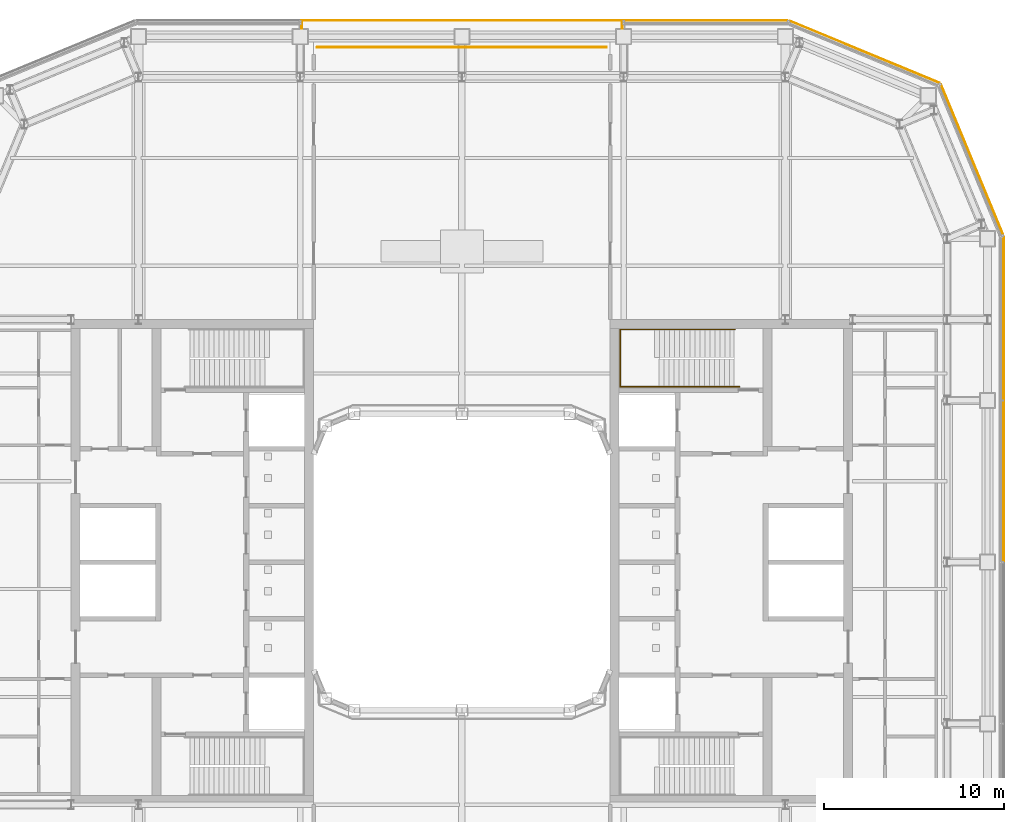
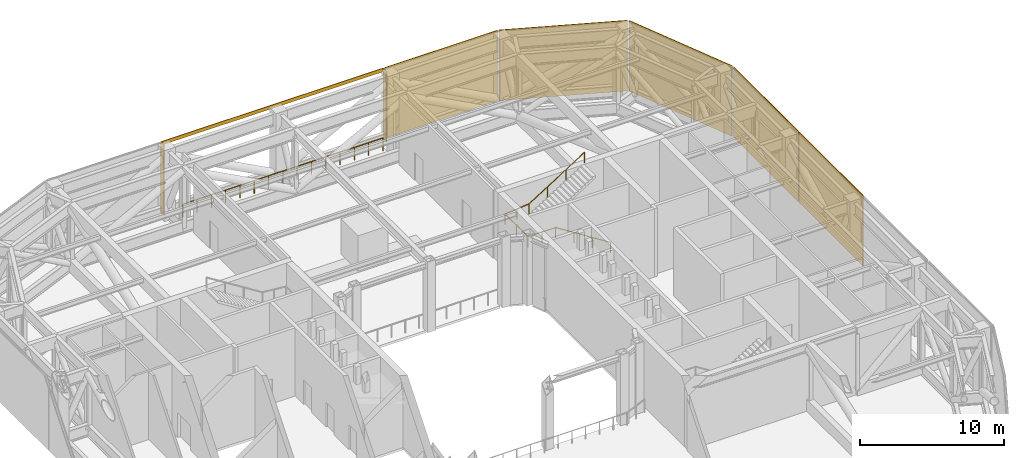
# One storey, part 21 of 22: 8 coverings, 2 railings.
"""IFC4 building model written with IfcOpenShell, lengths in metres."""

from ifc_helpers import new_model, si_unit, direction, frame, origin, origin_2d, place, context, subcontext, project, spatial, rectangle, circle, extrude, material, layer, layer_set, type_object, element, save


model = new_model("IFC4")

# Units and contexts
model_context = context("Model", 3, precision=1e-05, world=origin(), true_north=direction((0.0, 1.0)))
body_context = subcontext(model_context, "Body", "Model", "MODEL_VIEW")
ifc_project = project(units=[si_unit("LENGTHUNIT", "METRE"), si_unit("AREAUNIT", "SQUARE_METRE"), si_unit("VOLUMEUNIT", "CUBIC_METRE"), si_unit("PLANEANGLEUNIT", "RADIAN"), si_unit("MASSUNIT", "GRAM", prefix="KILO")], contexts=[model_context])

# Site, building, storey
site_placement = place(None, origin())
site = spatial("IfcSite", under=ifc_project, at=site_placement, CompositionType="ELEMENT")
building_placement = place(site_placement, origin())
building = spatial("IfcBuilding", under=site, at=building_placement, Name="Siwar Civic Tower", CompositionType="ELEMENT")
storey_placement = place(building_placement, frame((0.0, 0.0, 181.199951171875)))
storey = spatial("IfcBuildingStorey", under=building, at=storey_placement, Name="L39", CompositionType="ELEMENT", Elevation=181.199951171875)

# Railings
ifc_material_1 = material(Name="Stainless steel", Category="steel")
railing_type_1 = type_object("IfcRailingType", Name="CORE-STAIR-HANDRAIL", PredefinedType="HANDRAIL", material=ifc_material_1)
railing_1_placement = place(storey_placement, frame((15.449951171875, 9.758056640625, 0.176513671875)))
element("IfcRailing", 1, at=railing_1_placement, inside=storey, type_object=railing_type_1, Name="Stair handrail ST3", PredefinedType="HANDRAIL", context=body_context, shape_type="SweptSolid", body=[
    extrude(circle(Radius=0.02001953125, at=origin_2d()), frame((0.0, 0.0, 0.8798828125), z_axis=(-0.843278542751, 0.0, 0.537476789579), x_axis=(0.0, -1.0, 0.0)), (0.0, 0.0, 1.0), 5.253173828125),
    extrude(circle(Radius=0.02001953125, at=origin_2d()), frame((-4.429931640625, 0.0, 3.703369140625), z_axis=(-1.0, 0.0, 0.0), x_axis=(0.0, -1.0, 0.0)), (0.0, 0.0, 1.0), 2.2119140625),
    extrude(circle(Radius=0.02001953125, at=origin_2d()), frame((-6.641845703125, 0.0, 3.703369140625), z_axis=(0.0, 1.0, 0.0), x_axis=(-1.0, 0.0, 0.0)), (0.0, 0.0, 1.0), 3.183837890625),
    extrude(circle(Radius=0.02001953125, at=origin_2d()), frame((-6.641845703125, 3.183837890625, 3.703369140625), z_axis=(0.995765067396, 0.0, 0.091934381781), x_axis=(0.0, 1.0, 0.0)), (0.0, 0.0, 1.0), 1.919921875),
    extrude(circle(Radius=0.02001953125, at=origin_2d()), frame((-4.72998046875, 3.183837890625, 3.8798828125), z_axis=(0.845997938375, 0.0, 0.533186166611), x_axis=(0.0, 1.0, 0.0)), (0.0, 0.0, 1.0), 5.29541015625),
    extrude(circle(Radius=0.02001953125, at=origin_2d()), origin(), (0.0, 0.0, 1.0), 0.85986328125),
    extrude(circle(Radius=0.02001953125, at=origin_2d()), frame((-1.4765625, 0.0, 0.941162109375)), (0.0, 0.0, 1.0), 0.85986328125),
    extrude(circle(Radius=0.02001953125, at=origin_2d()), frame((-2.953369140625, 0.0, 1.88232421875)), (0.0, 0.0, 1.0), 0.85986328125),
    extrude(circle(Radius=0.02001953125, at=origin_2d()), frame((-4.429931640625, 0.0, 2.823486328125)), (0.0, 0.0, 1.0), 0.85986328125),
    extrude(circle(Radius=0.02001953125, at=origin_2d()), frame((-5.535888671875, 0.0, 2.823486328125)), (0.0, 0.0, 1.0), 0.85986328125),
    extrude(circle(Radius=0.02001953125, at=origin_2d()), frame((-6.641845703125, 0.0, 2.823486328125)), (0.0, 0.0, 1.0), 0.85986328125),
    extrude(circle(Radius=0.02001953125, at=origin_2d()), frame((-6.641845703125, 1.591796875, 2.823486328125)), (0.0, 0.0, 1.0), 0.85986328125),
    extrude(circle(Radius=0.02001953125, at=origin_2d()), frame((-6.641845703125, 3.183837890625, 2.823486328125)), (0.0, 0.0, 1.0), 0.85986328125),
    extrude(circle(Radius=0.02001953125, at=origin_2d()), frame((-5.68603515625, 3.183837890625, 2.91162109375)), (0.0, 0.0, 1.0), 0.85986328125),
    extrude(circle(Radius=0.02001953125, at=origin_2d()), frame((-4.72998046875, 3.183837890625, 3.0)), (0.0, 0.0, 1.0), 0.85986328125),
    extrude(circle(Radius=0.02001953125, at=origin_2d()), frame((-3.236572265625, 3.183837890625, 3.941162109375)), (0.0, 0.0, 1.0), 0.85986328125),
    extrude(circle(Radius=0.02001953125, at=origin_2d()), frame((-1.743408203125, 3.183837890625, 4.88232421875)), (0.0, 0.0, 1.0), 0.85986328125),
    extrude(circle(Radius=0.02001953125, at=origin_2d()), frame((-0.25, 3.183837890625, 5.823486328125)), (0.0, 0.0, 1.0), 0.85986328125),
])
ifc_material_2 = material(Name="Stainless steel 316", Category="steel")
railing_type_2 = type_object("IfcRailingType", Name="ENV-GUARD-ROOF", PredefinedType="GUARDRAIL", material=ifc_material_2)
railing_2_placement = place(storey_placement, frame((-8.050048828125, 28.64990234375, 0.0)))
element("IfcRailing", 2, at=railing_2_placement, inside=storey, type_object=railing_type_2, Name="Sky portal guard N outer edge", PredefinedType="GUARDRAIL", context=body_context, shape_type="SweptSolid", body=[
    extrude(circle(Radius=0.02392578125, at=origin_2d()), frame((0.0, 0.0, 1.076171875), z_axis=(1.0, 0.0, 0.0), x_axis=(0.0, 1.0, 0.0)), (0.0, 0.0, 1.0), 16.10009765625),
    extrude(circle(Radius=0.02099609375, at=origin_2d()), origin(), (0.0, 0.0, 1.0), 1.052001953125),
    extrude(circle(Radius=0.02099609375, at=origin_2d()), frame((1.14990234375, 0.0, 0.0)), (0.0, 0.0, 1.0), 1.052001953125),
    extrude(circle(Radius=0.02099609375, at=origin_2d()), frame((2.300048828125, 0.0, 0.0)), (0.0, 0.0, 1.0), 1.052001953125),
    extrude(circle(Radius=0.02099609375, at=origin_2d()), frame((3.449951171875, 0.0, 0.0)), (0.0, 0.0, 1.0), 1.052001953125),
    extrude(circle(Radius=0.02099609375, at=origin_2d()), frame((4.60009765625, 0.0, 0.0)), (0.0, 0.0, 1.0), 1.052001953125),
    extrude(circle(Radius=0.02099609375, at=origin_2d()), frame((5.75, 0.0, 0.0)), (0.0, 0.0, 1.0), 1.052001953125),
    extrude(circle(Radius=0.02099609375, at=origin_2d()), frame((6.900146484375, 0.0, 0.0)), (0.0, 0.0, 1.0), 1.052001953125),
    extrude(circle(Radius=0.02099609375, at=origin_2d()), frame((8.050048828125, 0.0, 0.0)), (0.0, 0.0, 1.0), 1.052001953125),
    extrude(circle(Radius=0.02099609375, at=origin_2d()), frame((9.199951171875, 0.0, 0.0)), (0.0, 0.0, 1.0), 1.052001953125),
    extrude(circle(Radius=0.02099609375, at=origin_2d()), frame((10.35009765625, 0.0, 0.0)), (0.0, 0.0, 1.0), 1.052001953125),
    extrude(circle(Radius=0.02099609375, at=origin_2d()), frame((11.5, 0.0, 0.0)), (0.0, 0.0, 1.0), 1.052001953125),
    extrude(circle(Radius=0.02099609375, at=origin_2d()), frame((12.650146484375, 0.0, 0.0)), (0.0, 0.0, 1.0), 1.052001953125),
    extrude(circle(Radius=0.02099609375, at=origin_2d()), frame((13.800048828125, 0.0, 0.0)), (0.0, 0.0, 1.0), 1.052001953125),
    extrude(circle(Radius=0.02099609375, at=origin_2d()), frame((14.9501953125, 0.0, 0.0)), (0.0, 0.0, 1.0), 1.052001953125),
    extrude(circle(Radius=0.02099609375, at=origin_2d()), frame((16.10009765625, 0.0, 0.0)), (0.0, 0.0, 1.0), 1.052001953125),
])

# Coverings
ifc_material_3 = material(Name="Perforated aluminium cassette, pale metal", Category="aluminium")
ifc_layer_1 = layer(ifc_material_3, 0.0400390625)
ifc_layer_set_1 = layer_set([ifc_layer_1], Name="Perforated aluminium cassette, pale metal")
covering_type_1 = type_object("IfcCoveringType", Name="ENV-OUTER SKIN OS-1", PredefinedType="CLADDING", material=ifc_layer_set_1)
covering_1_placement = place(storey_placement, frame((30.14990234375, 4.5, -0.199951171875), z_axis=(0.0, 0.0, 1.0), x_axis=(0.0, 1.0, 0.0)))
element("IfcCovering", 3, at=covering_1_placement, inside=storey, type_object=covering_type_1, Name="OUTER SKIN OS-1 E 3", PredefinedType="CLADDING", context=body_context, shape_type="SweptSolid", body=[
    extrude(rectangle(XDim=8.89990234375, YDim=0.0400390625, at=origin_2d()), origin(), (0.0, 0.0, 1.0), 6.0),
])
covering_2_placement = place(storey_placement, frame((30.14990234375, 13.57958984375, -0.199951171875), z_axis=(0.0, 0.0, 1.0), x_axis=(0.0, 1.0, 0.0)))
element("IfcCovering", 4, at=covering_2_placement, inside=storey, type_object=covering_type_1, Name="OUTER SKIN OS-1 E 4", PredefinedType="CLADDING", context=body_context, shape_type="SweptSolid", body=[
    extrude(rectangle(XDim=9.05908203125, YDim=0.0400390625, at=origin_2d()), origin(), (0.0, 0.0, 1.0), 6.0),
])
for number, where, z_axis, x_axis, name in (
    (5, (28.39697265625, 22.411376953125, -0.199951171875), (0.0, 0.0, 1.0), (-0.382683432365, 0.923879532511, 0.0), "OUTER SKIN OS-1 NE1 1"),
    (6, (22.411376953125, 28.39697265625, -0.199951171875), (0.0, 0.0, 1.0), (-0.923879532511, 0.382683432365, 0.0), "OUTER SKIN OS-1 NE2 1"),
):
    element("IfcCovering", number, at=place(storey_placement, frame(where, z_axis=z_axis, x_axis=x_axis)), inside=storey, type_object=covering_type_1, Name=name, PredefinedType="CLADDING", context=body_context, shape_type="SweptSolid", body=[
        extrude(rectangle(XDim=9.022216796875, YDim=0.0400390625, at=origin_2d()), origin(), (0.0, 0.0, 1.0), 6.0),
    ])
covering_3_placement = place(storey_placement, frame((13.57958984375, 30.14990234375, -0.199951171875), z_axis=(0.0, 0.0, 1.0), x_axis=(-1.0, 0.0, 0.0)))
element("IfcCovering", 7, at=covering_3_placement, inside=storey, type_object=covering_type_1, Name="OUTER SKIN OS-1 N 1", PredefinedType="CLADDING", context=body_context, shape_type="SweptSolid", body=[
    extrude(rectangle(XDim=9.05908203125, YDim=0.0400390625, at=origin_2d()), origin(), (0.0, 0.0, 1.0), 6.0),
])
ifc_material_4 = material(Name="Perforated aluminium cassette, pale metal", Category="aluminium")
ifc_layer_2 = layer(ifc_material_4, 0.050048828125)
ifc_layer_set_2 = layer_set([ifc_layer_2], Name="Perforated aluminium cassette, pale metal")
covering_type_2 = type_object("IfcCoveringType", Name="ENV-PORTAL FRAME", PredefinedType="CLADDING", material=ifc_layer_set_2)
for number, where, z_axis, x_axis, name in (
    (8, (-8.925048828125, 29.9150390625, -0.199951171875), (0.0, 0.0, 1.0), (1.0, 0.0, 0.0), "PORTAL FRAME return plate N L39"),
    (9, (8.925048828125, 29.9150390625, -0.199951171875), (0.0, 0.0, 1.0), (1.0, 0.0, 0.0), "PORTAL FRAME return plate N L39"),
):
    element("IfcCovering", number, at=place(storey_placement, frame(where, z_axis=z_axis, x_axis=x_axis)), inside=storey, type_object=covering_type_2, Name=name, PredefinedType="CLADDING", context=body_context, shape_type="SweptSolid", body=[
        extrude(rectangle(XDim=0.050048828125, YDim=0.469970703125, at=origin_2d()), origin(), (0.0, 0.0, 1.0), 6.0),
    ])
covering_4_placement = place(storey_placement, frame((0.0, 30.14990234375, 5.5), z_axis=(0.0, 0.0, 1.0), x_axis=(1.0, 0.0, 0.0)))
element("IfcCovering", 10, at=covering_4_placement, inside=storey, type_object=covering_type_2, Name="PORTAL FRAME lintel N L39", PredefinedType="CLADDING", context=body_context, shape_type="SweptSolid", body=[
    extrude(rectangle(XDim=17.89990234375, YDim=0.050048828125, at=origin_2d()), origin(), (0.0, 0.0, 1.0), 0.300048828125),
])

save(model, "model.ifc")
